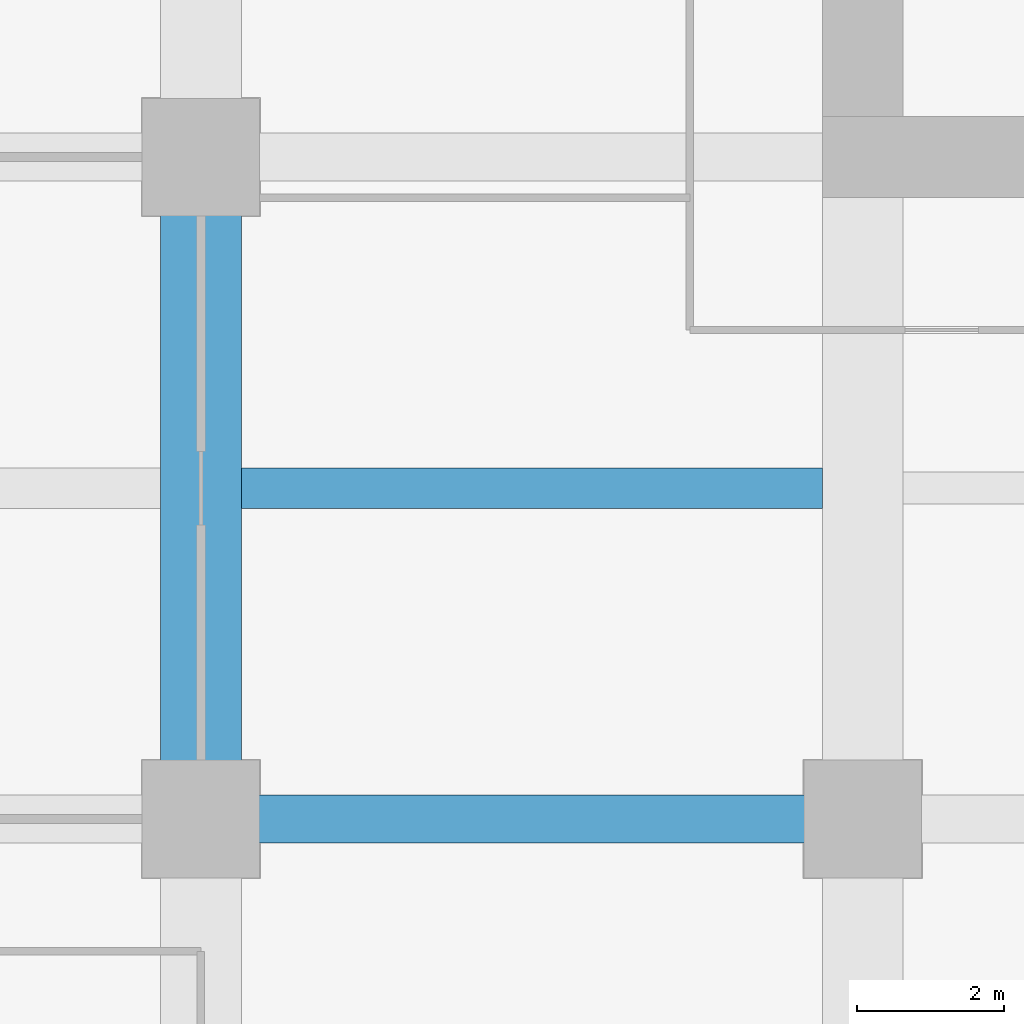
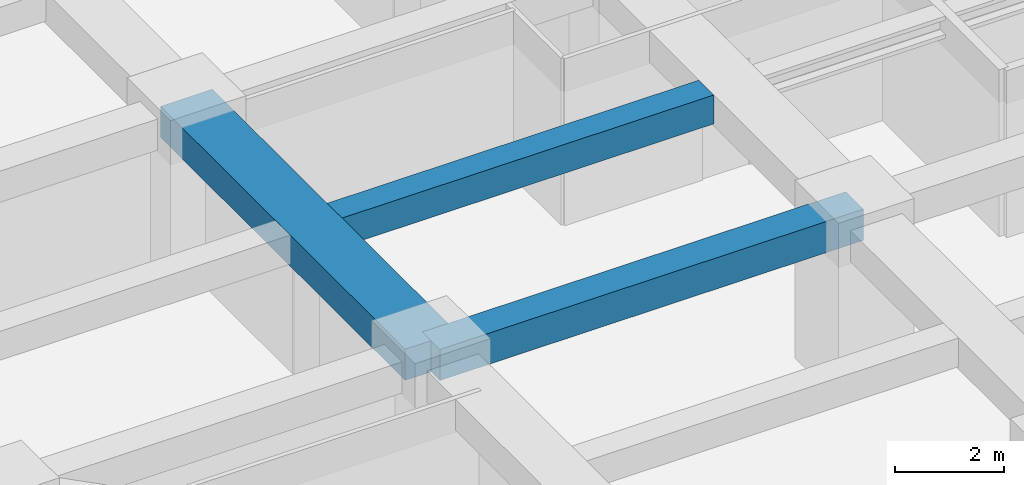
# One storey, part 5 of 32: 3 beams.
"""IFC4 building model written with IfcOpenShell, lengths in metres."""

from ifc_helpers import new_model, si_unit, direction, frame, origin, origin_2d, place, context, subcontext, project, spatial, rectangle, extrude, material, material_profile, profile_set, type_object, element, save


model = new_model("IFC4")

# Units and contexts
model_context = context("Model", 3, precision=1e-05, world=origin(), true_north=direction((0.0, 1.0)))
body_context = subcontext(model_context, "Body", "Model", "MODEL_VIEW")
ifc_project = project(units=[si_unit("LENGTHUNIT", "METRE"), si_unit("AREAUNIT", "SQUARE_METRE"), si_unit("VOLUMEUNIT", "CUBIC_METRE"), si_unit("PLANEANGLEUNIT", "RADIAN"), si_unit("MASSUNIT", "GRAM", prefix="KILO")], contexts=[model_context])

# Site, building, storey
site_placement = place(None, origin())
site = spatial("IfcSite", under=ifc_project, at=site_placement, CompositionType="ELEMENT")
building_placement = place(site_placement, origin())
building = spatial("IfcBuilding", under=site, at=building_placement, Name="Zorevar Civic Tower", CompositionType="ELEMENT")
storey_placement = place(building_placement, frame((0.0, 0.0, 186.199951171875)))
storey = spatial("IfcBuildingStorey", under=building, at=storey_placement, Name="L45", CompositionType="ELEMENT", Elevation=186.199951171875)

# Beams
ifc_material_1 = material(Name="Concrete C50/60", Category="concrete")
ifc_material_profile_1 = material_profile(ifc_material_1, rectangle(XDim=1.10009765625, YDim=0.699951171875, at=origin_2d()), Name="RC 1100x700")
ifc_profile_set_1 = profile_set([ifc_material_profile_1], Name="Concrete C50/60")
beam_type_1 = type_object("IfcBeamType", Name="Beam RC 1100x700", PredefinedType="BEAM", material=ifc_profile_set_1)
beam_1_placement = place(storey_placement, frame((9.0, 9.0, 3.400146484375), z_axis=(0.0, 1.0, 0.0), x_axis=(-1.0, 0.0, 0.0)))
element("IfcBeam", 1, at=beam_1_placement, inside=storey, type_object=beam_type_1, Name="Girder L46", PredefinedType="BEAM", context=body_context, shape_type="SweptSolid", body=[
    extrude(rectangle(XDim=1.10009765625, YDim=0.699951171875, at=origin_2d()), origin(), (0.0, 0.0, 1.0), 9.0),
])
ifc_material_2 = material(Name="Concrete C50/60", Category="concrete")
ifc_material_profile_2 = material_profile(ifc_material_2, rectangle(XDim=0.550048828125, YDim=0.64990234375, at=origin_2d()), Name="RC 550x650")
ifc_profile_set_2 = profile_set([ifc_material_profile_2], Name="Concrete C50/60")
beam_type_2 = type_object("IfcBeamType", Name="Beam RC 550x650", PredefinedType="BEAM", material=ifc_profile_set_2)
beam_2_placement = place(storey_placement, frame((9.550048828125, 13.5, 3.425048828125), z_axis=(1.0, 0.0, 0.0), x_axis=(0.0, 1.0, 0.0)))
element("IfcBeam", 2, at=beam_2_placement, inside=storey, type_object=beam_type_2, Name="Secondary beam L46", PredefinedType="BEAM", context=body_context, shape_type="SweptSolid", body=[
    extrude(rectangle(XDim=0.550048828125, YDim=0.64990234375, at=origin_2d()), origin(), (0.0, 0.0, 1.0), 7.89990234375),
])
ifc_material_3 = material(Name="Concrete C50/60", Category="concrete")
ifc_material_profile_3 = material_profile(ifc_material_3, rectangle(XDim=0.64990234375, YDim=0.699951171875, at=origin_2d()), Name="RC 650x700")
ifc_profile_set_3 = profile_set([ifc_material_profile_3], Name="Concrete C50/60")
beam_type_3 = type_object("IfcBeamType", Name="Beam RC 650x700", PredefinedType="BEAM", material=ifc_profile_set_3)
beam_3_placement = place(storey_placement, frame((9.0, 9.0, 3.400146484375), z_axis=(1.0, 0.0, 0.0), x_axis=(0.0, 1.0, 0.0)))
element("IfcBeam", 3, at=beam_3_placement, inside=storey, type_object=beam_type_3, Name="Girder L46", PredefinedType="BEAM", context=body_context, shape_type="SweptSolid", body=[
    extrude(rectangle(XDim=0.64990234375, YDim=0.699951171875, at=origin_2d()), origin(), (0.0, 0.0, 1.0), 9.0),
])

save(model, "model.ifc")
